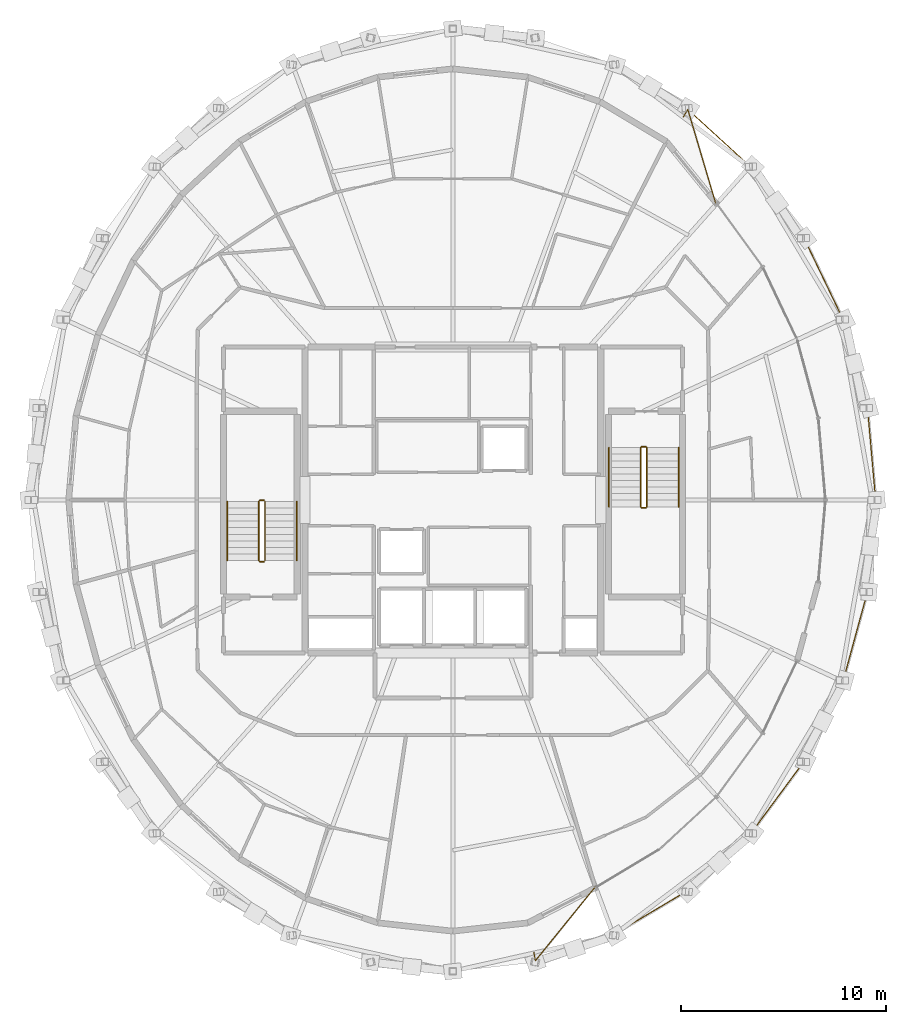
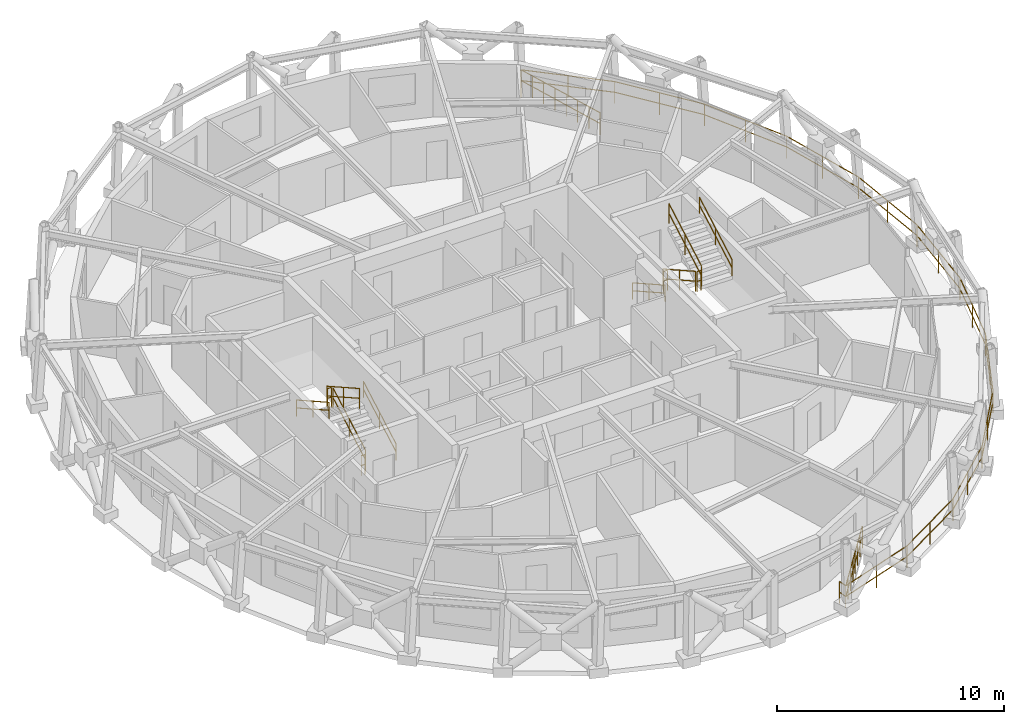
# One storey, part 16 of 16: 15 railings.
"""IFC4 building model written with IfcOpenShell, lengths in metres."""

from ifc_helpers import new_model, si_unit, direction, frame, origin, origin_2d, place, context, subcontext, project, spatial, circle, extrude, material, type_object, element, save


model = new_model("IFC4")

# Units and contexts
model_context = context("Model", 3, precision=1e-05, world=origin(), true_north=direction((0.0, 1.0)))
body_context = subcontext(model_context, "Body", "Model", "MODEL_VIEW")
ifc_project = project(units=[si_unit("LENGTHUNIT", "METRE"), si_unit("AREAUNIT", "SQUARE_METRE"), si_unit("VOLUMEUNIT", "CUBIC_METRE"), si_unit("PLANEANGLEUNIT", "RADIAN"), si_unit("MASSUNIT", "GRAM", prefix="KILO")], contexts=[model_context])

# Site, building, storey
site_placement = place(None, origin())
site = spatial("IfcSite", under=ifc_project, at=site_placement, CompositionType="ELEMENT")
building_placement = place(site_placement, origin())
building = spatial("IfcBuilding", under=site, at=building_placement, Name="Veldorina Hangang Commons", CompositionType="ELEMENT")
storey_placement = place(building_placement, frame((0.0, 0.0, 279.60009765625)))
storey = spatial("IfcBuildingStorey", under=building, at=storey_placement, Name="L73", CompositionType="ELEMENT", Elevation=279.60009765625)

# Railings
ifc_material_1 = material(Name="Glass Laminated Safety Balustrade", Category="glass")
railing_type_1 = type_object("IfcRailingType", Name="RL-BAL-LOGGIA", PredefinedType="BALUSTRADE", material=ifc_material_1)
railing_1_placement = place(storey_placement, frame((35.94482421875, 1.972900390625, 0.0)))
element("IfcRailing", 1, at=railing_1_placement, inside=storey, type_object=railing_type_1, Name="L73 sky-garden loggia end balustrade A", PredefinedType="BALUSTRADE", context=body_context, shape_type="SweptSolid", body=[
    extrude(circle(Radius=0.02392578125, at=origin_2d()), frame((0.0, 0.0, 1.17578125), z_axis=(0.176072200858, -0.984377254961, 0.0), x_axis=(0.984377254961, 0.176072200858, 0.0)), (0.0, 0.0, 1.0), 0.420166015625),
    extrude(circle(Radius=0.02392578125, at=origin_2d()), frame((0.0, 0.0, 0.60009765625), z_axis=(0.176072200858, -0.984377254961, 0.0), x_axis=(0.984377254961, 0.176072200858, 0.0)), (0.0, 0.0, 1.0), 0.420166015625),
    extrude(circle(Radius=0.02392578125, at=origin_2d()), frame((0.073974609375, -0.41357421875, 1.17578125), z_axis=(0.629855307731, 0.776712489485, 0.0), x_axis=(-0.776712489485, 0.629855307731, 0.0)), (0.0, 0.0, 1.0), 4.62646484375),
    extrude(circle(Radius=0.02392578125, at=origin_2d()), frame((0.073974609375, -0.41357421875, 0.60009765625), z_axis=(0.629855307731, 0.776712489485, 0.0), x_axis=(-0.776712489485, 0.629855307731, 0.0)), (0.0, 0.0, 1.0), 4.62646484375),
    extrude(circle(Radius=0.02099609375, at=origin_2d()), origin(), (0.0, 0.0, 1.0), 1.15185546875),
    extrude(circle(Radius=0.02099609375, at=origin_2d()), frame((0.073974609375, -0.41357421875, 0.0)), (0.0, 0.0, 1.0), 1.15185546875),
    extrude(circle(Radius=0.02099609375, at=origin_2d()), frame((0.490234375, 0.099853515625, 0.0)), (0.0, 0.0, 1.0), 1.15185546875),
    extrude(circle(Radius=0.02099609375, at=origin_2d()), frame((0.906494140625, 0.613037109375, 0.0)), (0.0, 0.0, 1.0), 1.15185546875),
    extrude(circle(Radius=0.02099609375, at=origin_2d()), frame((1.32275390625, 1.12646484375, 0.0)), (0.0, 0.0, 1.0), 1.15185546875),
    extrude(circle(Radius=0.02099609375, at=origin_2d()), frame((1.7392578125, 1.639892578125, 0.0)), (0.0, 0.0, 1.0), 1.15185546875),
    extrude(circle(Radius=0.02099609375, at=origin_2d()), frame((2.155517578125, 2.1533203125, 0.0)), (0.0, 0.0, 1.0), 1.15185546875),
    extrude(circle(Radius=0.02099609375, at=origin_2d()), frame((2.57177734375, 2.66650390625, 0.0)), (0.0, 0.0, 1.0), 1.15185546875),
    extrude(circle(Radius=0.02099609375, at=origin_2d()), frame((2.988037109375, 3.179931640625, 0.0)), (0.0, 0.0, 1.0), 1.15185546875),
])
railing_2_placement = place(storey_placement, frame((43.227294921875, 42.66259765625, 0.0)))
element("IfcRailing", 2, at=railing_2_placement, inside=storey, type_object=railing_type_1, Name="L73 sky-garden loggia end balustrade B", PredefinedType="BALUSTRADE", context=body_context, shape_type="SweptSolid", body=[
    extrude(circle(Radius=0.02392578125, at=origin_2d()), frame((0.0, 0.0, 1.17578125), z_axis=(0.515606618215, 0.856825428692, 0.0), x_axis=(-0.856825428692, 0.515606618215, 0.0)), (0.0, 0.0, 1.0), 0.419921875),
    extrude(circle(Radius=0.02392578125, at=origin_2d()), frame((0.0, 0.0, 0.60009765625), z_axis=(0.515606618215, 0.856825428692, 0.0), x_axis=(-0.856825428692, 0.515606618215, 0.0)), (0.0, 0.0, 1.0), 0.419921875),
    extrude(circle(Radius=0.02392578125, at=origin_2d()), frame((0.216552734375, 0.35986328125, 1.17578125), z_axis=(0.284647982683, -0.958632111894, 0.0), x_axis=(0.958632111894, 0.284647982683, 0.0)), (0.0, 0.0, 1.0), 4.797119140625),
    extrude(circle(Radius=0.02392578125, at=origin_2d()), frame((0.216552734375, 0.35986328125, 0.60009765625), z_axis=(0.284647982683, -0.958632111894, 0.0), x_axis=(0.958632111894, 0.284647982683, 0.0)), (0.0, 0.0, 1.0), 4.797119140625),
    extrude(circle(Radius=0.02099609375, at=origin_2d()), origin(), (0.0, 0.0, 1.0), 1.15185546875),
    extrude(circle(Radius=0.02099609375, at=origin_2d()), frame((0.216552734375, 0.35986328125, 0.0)), (0.0, 0.0, 1.0), 1.15185546875),
    extrude(circle(Radius=0.02099609375, at=origin_2d()), frame((0.41162109375, -0.297119140625, 0.0)), (0.0, 0.0, 1.0), 1.15185546875),
    extrude(circle(Radius=0.02099609375, at=origin_2d()), frame((0.606689453125, -0.9541015625, 0.0)), (0.0, 0.0, 1.0), 1.15185546875),
    extrude(circle(Radius=0.02099609375, at=origin_2d()), frame((0.8017578125, -1.611083984375, 0.0)), (0.0, 0.0, 1.0), 1.15185546875),
    extrude(circle(Radius=0.02099609375, at=origin_2d()), frame((0.996826171875, -2.267822265625, 0.0)), (0.0, 0.0, 1.0), 1.15185546875),
    extrude(circle(Radius=0.02099609375, at=origin_2d()), frame((1.19189453125, -2.9248046875, 0.0)), (0.0, 0.0, 1.0), 1.15185546875),
    extrude(circle(Radius=0.02099609375, at=origin_2d()), frame((1.386962890625, -3.581787109375, 0.0)), (0.0, 0.0, 1.0), 1.15185546875),
    extrude(circle(Radius=0.02099609375, at=origin_2d()), frame((1.58203125, -4.23876953125, 0.0)), (0.0, 0.0, 1.0), 1.15185546875),
])
railing_3_placement = place(storey_placement, frame((36.018798828125, 1.559326171875, 0.0)))
element("IfcRailing", 3, at=railing_3_placement, inside=storey, type_object=railing_type_1, Name="L73 sky-garden loggia outer balustrade", PredefinedType="BALUSTRADE", context=body_context, shape_type="SweptSolid", body=[
    extrude(circle(Radius=0.02392578125, at=origin_2d()), frame((0.0, 0.0, 1.17578125), z_axis=(0.947582030219, 0.319512591311, 0.0), x_axis=(-0.319512591311, 0.947582030219, 0.0)), (0.0, 0.0, 1.0), 4.078125),
    extrude(circle(Radius=0.02392578125, at=origin_2d()), frame((0.0, 0.0, 0.60009765625), z_axis=(0.947582030219, 0.319512591311, 0.0), x_axis=(-0.319512591311, 0.947582030219, 0.0)), (0.0, 0.0, 1.0), 4.078125),
    extrude(circle(Radius=0.02392578125, at=origin_2d()), frame((3.8642578125, 1.302978515625, 1.17578125), z_axis=(0.859747172439, 0.51071988358, 0.0), x_axis=(-0.51071988358, 0.859747172439, 0.0)), (0.0, 0.0, 1.0), 4.1416015625),
    extrude(circle(Radius=0.02392578125, at=origin_2d()), frame((3.8642578125, 1.302978515625, 0.60009765625), z_axis=(0.859747172439, 0.51071988358, 0.0), x_axis=(-0.51071988358, 0.859747172439, 0.0)), (0.0, 0.0, 1.0), 4.1416015625),
    extrude(circle(Radius=0.02392578125, at=origin_2d()), frame((7.425048828125, 3.418212890625, 1.17578125), z_axis=(0.738790765452, 0.673934866944, 0.0), x_axis=(-0.673934866944, 0.738790765452, 0.0)), (0.0, 0.0, 1.0), 4.2236328125),
    extrude(circle(Radius=0.02392578125, at=origin_2d()), frame((7.425048828125, 3.418212890625, 0.60009765625), z_axis=(0.738790765452, 0.673934866944, 0.0), x_axis=(-0.673934866944, 0.738790765452, 0.0)), (0.0, 0.0, 1.0), 4.2236328125),
    extrude(circle(Radius=0.02392578125, at=origin_2d()), frame((10.54541015625, 6.2646484375, 1.17578125), z_axis=(0.593992840285, 0.804470326172, 0.0), x_axis=(-0.804470326172, 0.593992840285, 0.0)), (0.0, 0.0, 1.0), 4.310302734375),
    extrude(circle(Radius=0.02392578125, at=origin_2d()), frame((10.54541015625, 6.2646484375, 0.60009765625), z_axis=(0.593992840285, 0.804470326172, 0.0), x_axis=(-0.804470326172, 0.593992840285, 0.0)), (0.0, 0.0, 1.0), 4.310302734375),
    extrude(circle(Radius=0.02392578125, at=origin_2d()), frame((13.105712890625, 9.732177734375, 1.17578125), z_axis=(0.433342225223, 0.901229446833, 0.0), x_axis=(-0.901229446833, 0.433342225223, 0.0)), (0.0, 0.0, 1.0), 4.388916015625),
    extrude(circle(Radius=0.02392578125, at=origin_2d()), frame((13.105712890625, 9.732177734375, 0.60009765625), z_axis=(0.433342225223, 0.901229446833, 0.0), x_axis=(-0.901229446833, 0.433342225223, 0.0)), (0.0, 0.0, 1.0), 4.388916015625),
    extrude(circle(Radius=0.02392578125, at=origin_2d()), frame((15.007568359375, 13.6875, 1.17578125), z_axis=(0.263298532102, 0.964714404885, 0.0), x_axis=(-0.964714404885, 0.263298532102, 0.0)), (0.0, 0.0, 1.0), 4.447998046875),
    extrude(circle(Radius=0.02392578125, at=origin_2d()), frame((15.007568359375, 13.6875, 0.60009765625), z_axis=(0.263298532102, 0.964714404885, 0.0), x_axis=(-0.964714404885, 0.263298532102, 0.0)), (0.0, 0.0, 1.0), 4.447998046875),
    extrude(circle(Radius=0.02392578125, at=origin_2d()), frame((16.1787109375, 17.978515625, 1.17578125), z_axis=(0.088235776144, 0.996099617412, 0.0), x_axis=(-0.996099617412, 0.088235776144, 0.0)), (0.0, 0.0, 1.0), 4.479736328125),
    extrude(circle(Radius=0.02392578125, at=origin_2d()), frame((16.1787109375, 17.978515625, 0.60009765625), z_axis=(0.088235776144, 0.996099617412, 0.0), x_axis=(-0.996099617412, 0.088235776144, 0.0)), (0.0, 0.0, 1.0), 4.479736328125),
    extrude(circle(Radius=0.02392578125, at=origin_2d()), frame((16.573974609375, 22.440673828125, 1.17578125), z_axis=(-0.088235776144, 0.996099617412, 0.0), x_axis=(-0.996099617412, -0.088235776144, 0.0)), (0.0, 0.0, 1.0), 4.479736328125),
    extrude(circle(Radius=0.02392578125, at=origin_2d()), frame((16.573974609375, 22.440673828125, 0.60009765625), z_axis=(-0.088235776144, 0.996099617412, 0.0), x_axis=(-0.996099617412, -0.088235776144, 0.0)), (0.0, 0.0, 1.0), 4.479736328125),
    extrude(circle(Radius=0.02392578125, at=origin_2d()), frame((16.1787109375, 26.90283203125, 1.17578125), z_axis=(-0.263298532102, 0.964714404885, 0.0), x_axis=(-0.964714404885, -0.263298532102, 0.0)), (0.0, 0.0, 1.0), 4.447998046875),
    extrude(circle(Radius=0.02392578125, at=origin_2d()), frame((16.1787109375, 26.90283203125, 0.60009765625), z_axis=(-0.263298532102, 0.964714404885, 0.0), x_axis=(-0.964714404885, -0.263298532102, 0.0)), (0.0, 0.0, 1.0), 4.447998046875),
    extrude(circle(Radius=0.02392578125, at=origin_2d()), frame((15.007568359375, 31.19384765625, 1.17578125), z_axis=(-0.433342225223, 0.901229446833, 0.0), x_axis=(-0.901229446833, -0.433342225223, 0.0)), (0.0, 0.0, 1.0), 4.388916015625),
    extrude(circle(Radius=0.02392578125, at=origin_2d()), frame((15.007568359375, 31.19384765625, 0.60009765625), z_axis=(-0.433342225223, 0.901229446833, 0.0), x_axis=(-0.901229446833, -0.433342225223, 0.0)), (0.0, 0.0, 1.0), 4.388916015625),
    extrude(circle(Radius=0.02392578125, at=origin_2d()), frame((13.105712890625, 35.149169921875, 1.17578125), z_axis=(-0.593992840285, 0.804470326172, 0.0), x_axis=(-0.804470326172, -0.593992840285, 0.0)), (0.0, 0.0, 1.0), 4.310302734375),
    extrude(circle(Radius=0.02392578125, at=origin_2d()), frame((13.105712890625, 35.149169921875, 0.60009765625), z_axis=(-0.593992840285, 0.804470326172, 0.0), x_axis=(-0.804470326172, -0.593992840285, 0.0)), (0.0, 0.0, 1.0), 4.310302734375),
    extrude(circle(Radius=0.02392578125, at=origin_2d()), frame((10.54541015625, 38.61669921875, 1.17578125), z_axis=(-0.738790765452, 0.673934866944, 0.0), x_axis=(-0.673934866944, -0.738790765452, 0.0)), (0.0, 0.0, 1.0), 4.2236328125),
    extrude(circle(Radius=0.02392578125, at=origin_2d()), frame((10.54541015625, 38.61669921875, 0.60009765625), z_axis=(-0.738790765452, 0.673934866944, 0.0), x_axis=(-0.673934866944, -0.738790765452, 0.0)), (0.0, 0.0, 1.0), 4.2236328125),
    extrude(circle(Radius=0.02099609375, at=origin_2d()), origin(), (0.0, 0.0, 1.0), 1.15185546875),
    extrude(circle(Radius=0.02099609375, at=origin_2d()), frame((1.93212890625, 0.6513671875, 0.0)), (0.0, 0.0, 1.0), 1.15185546875),
    extrude(circle(Radius=0.02099609375, at=origin_2d()), frame((3.8642578125, 1.302978515625, 0.0)), (0.0, 0.0, 1.0), 1.15185546875),
    extrude(circle(Radius=0.02099609375, at=origin_2d()), frame((5.64453125, 2.360595703125, 0.0)), (0.0, 0.0, 1.0), 1.15185546875),
    extrude(circle(Radius=0.02099609375, at=origin_2d()), frame((7.425048828125, 3.418212890625, 0.0)), (0.0, 0.0, 1.0), 1.15185546875),
    extrude(circle(Radius=0.02099609375, at=origin_2d()), frame((8.9853515625, 4.84130859375, 0.0)), (0.0, 0.0, 1.0), 1.15185546875),
    extrude(circle(Radius=0.02099609375, at=origin_2d()), frame((10.54541015625, 6.2646484375, 0.0)), (0.0, 0.0, 1.0), 1.15185546875),
    extrude(circle(Radius=0.02099609375, at=origin_2d()), frame((11.82568359375, 7.99853515625, 0.0)), (0.0, 0.0, 1.0), 1.15185546875),
    extrude(circle(Radius=0.02099609375, at=origin_2d()), frame((13.105712890625, 9.732177734375, 0.0)), (0.0, 0.0, 1.0), 1.15185546875),
    extrude(circle(Radius=0.02099609375, at=origin_2d()), frame((14.056640625, 11.7099609375, 0.0)), (0.0, 0.0, 1.0), 1.15185546875),
    extrude(circle(Radius=0.02099609375, at=origin_2d()), frame((15.007568359375, 13.6875, 0.0)), (0.0, 0.0, 1.0), 1.15185546875),
    extrude(circle(Radius=0.02099609375, at=origin_2d()), frame((15.59326171875, 15.8330078125, 0.0)), (0.0, 0.0, 1.0), 1.15185546875),
    extrude(circle(Radius=0.02099609375, at=origin_2d()), frame((16.1787109375, 17.978515625, 0.0)), (0.0, 0.0, 1.0), 1.15185546875),
    extrude(circle(Radius=0.02099609375, at=origin_2d()), frame((16.37646484375, 20.20947265625, 0.0)), (0.0, 0.0, 1.0), 1.15185546875),
    extrude(circle(Radius=0.02099609375, at=origin_2d()), frame((16.573974609375, 22.440673828125, 0.0)), (0.0, 0.0, 1.0), 1.15185546875),
    extrude(circle(Radius=0.02099609375, at=origin_2d()), frame((16.37646484375, 24.671875, 0.0)), (0.0, 0.0, 1.0), 1.15185546875),
    extrude(circle(Radius=0.02099609375, at=origin_2d()), frame((16.1787109375, 26.90283203125, 0.0)), (0.0, 0.0, 1.0), 1.15185546875),
    extrude(circle(Radius=0.02099609375, at=origin_2d()), frame((15.59326171875, 29.04833984375, 0.0)), (0.0, 0.0, 1.0), 1.15185546875),
    extrude(circle(Radius=0.02099609375, at=origin_2d()), frame((15.007568359375, 31.19384765625, 0.0)), (0.0, 0.0, 1.0), 1.15185546875),
    extrude(circle(Radius=0.02099609375, at=origin_2d()), frame((14.056640625, 33.17138671875, 0.0)), (0.0, 0.0, 1.0), 1.15185546875),
    extrude(circle(Radius=0.02099609375, at=origin_2d()), frame((13.105712890625, 35.149169921875, 0.0)), (0.0, 0.0, 1.0), 1.15185546875),
    extrude(circle(Radius=0.02099609375, at=origin_2d()), frame((11.82568359375, 36.8828125, 0.0)), (0.0, 0.0, 1.0), 1.15185546875),
    extrude(circle(Radius=0.02099609375, at=origin_2d()), frame((10.54541015625, 38.61669921875, 0.0)), (0.0, 0.0, 1.0), 1.15185546875),
    extrude(circle(Radius=0.02099609375, at=origin_2d()), frame((8.9853515625, 40.0400390625, 0.0)), (0.0, 0.0, 1.0), 1.15185546875),
    extrude(circle(Radius=0.02099609375, at=origin_2d()), frame((7.425048828125, 41.463134765625, 0.0)), (0.0, 0.0, 1.0), 1.15185546875),
])
ifc_material_2 = material(Name="Steel Painted Balustrade", Category="steel")
railing_type_2 = type_object("IfcRailingType", Name="RL-GRD-STAIR", PredefinedType="GUARDRAIL", material=ifc_material_2)
railing_4_placement = place(storey_placement, frame((22.85009765625, 21.050048828125, 0.179931640625)))
element("IfcRailing", 4, at=railing_4_placement, inside=storey, type_object=railing_type_2, Name="L73 ST-1 stair guard 1", PredefinedType="GUARDRAIL", context=body_context, shape_type="SweptSolid", body=[
    extrude(circle(Radius=0.02392578125, at=origin_2d()), frame((0.0, 0.0, 1.076171875), z_axis=(0.0, 0.871583430097, 0.490247207417), x_axis=(-1.0, 0.0, 0.0)), (0.0, 0.0, 1.0), 3.30419921875),
    extrude(circle(Radius=0.02392578125, at=origin_2d()), frame((0.0, 0.0, 0.550048828125), z_axis=(0.0, 0.871583430097, 0.490247207417), x_axis=(-1.0, 0.0, 0.0)), (0.0, 0.0, 1.0), 3.30419921875),
    extrude(circle(Radius=0.02099609375, at=origin_2d()), origin(), (0.0, 0.0, 1.0), 1.052001953125),
    extrude(circle(Radius=0.02099609375, at=origin_2d()), frame((0.0, 1.43994140625, 0.81005859375)), (0.0, 0.0, 1.0), 1.052001953125),
    extrude(circle(Radius=0.02099609375, at=origin_2d()), frame((0.0, 2.8798828125, 1.619873046875)), (0.0, 0.0, 1.0), 1.052001953125),
])
railing_5_placement = place(storey_placement, frame((22.800048828125, 23.97998046875, 1.7998046875)))
element("IfcRailing", 5, at=railing_5_placement, inside=storey, type_object=railing_type_2, Name="L73 ST-1 stair guard 2", PredefinedType="GUARDRAIL", context=body_context, shape_type="SweptSolid", body=[
    extrude(circle(Radius=0.02392578125, at=origin_2d()), frame((0.0, 0.0, 1.076171875), z_axis=(-1.0, 0.0, 0.0), x_axis=(0.0, -1.0, 0.0)), (0.0, 0.0, 1.0), 0.199951171875),
    extrude(circle(Radius=0.02392578125, at=origin_2d()), frame((0.0, 0.0, 0.550048828125), z_axis=(-1.0, 0.0, 0.0), x_axis=(0.0, -1.0, 0.0)), (0.0, 0.0, 1.0), 0.199951171875),
    extrude(circle(Radius=0.02099609375, at=origin_2d()), origin(), (0.0, 0.0, 1.0), 1.052001953125),
    extrude(circle(Radius=0.02099609375, at=origin_2d()), frame((-0.199951171875, 0.0, 0.0)), (0.0, 0.0, 1.0), 1.052001953125),
])
railing_6_placement = place(storey_placement, frame((22.550048828125, 23.929931640625, 1.97998046875)))
element("IfcRailing", 6, at=railing_6_placement, inside=storey, type_object=railing_type_2, Name="L73 ST-1 stair guard 3", PredefinedType="GUARDRAIL", context=body_context, shape_type="SweptSolid", body=[
    extrude(circle(Radius=0.02392578125, at=origin_2d()), frame((0.0, 0.0, 1.076171875), z_axis=(0.0, -0.871583430097, 0.490247207417), x_axis=(1.0, 0.0, 0.0)), (0.0, 0.0, 1.0), 3.30419921875),
    extrude(circle(Radius=0.02392578125, at=origin_2d()), frame((0.0, 0.0, 0.550048828125), z_axis=(0.0, -0.871583430097, 0.490247207417), x_axis=(1.0, 0.0, 0.0)), (0.0, 0.0, 1.0), 3.30419921875),
    extrude(circle(Radius=0.02099609375, at=origin_2d()), origin(), (0.0, 0.0, 1.0), 1.052001953125),
    extrude(circle(Radius=0.02099609375, at=origin_2d()), frame((0.0, -1.43994140625, 0.81005859375)), (0.0, 0.0, 1.0), 1.052001953125),
    extrude(circle(Radius=0.02099609375, at=origin_2d()), frame((0.0, -2.8798828125, 1.619873046875)), (0.0, 0.0, 1.0), 1.052001953125),
])
railing_7_placement = place(storey_placement, frame((22.800048828125, 21.0, 0.0)))
element("IfcRailing", 7, at=railing_7_placement, inside=storey, type_object=railing_type_2, Name="L73 ST-1 stair guard 4", PredefinedType="GUARDRAIL", context=body_context, shape_type="SweptSolid", body=[
    extrude(circle(Radius=0.02392578125, at=origin_2d()), frame((0.0, 0.0, 1.076171875), z_axis=(-1.0, 0.0, 0.0), x_axis=(0.0, -1.0, 0.0)), (0.0, 0.0, 1.0), 0.199951171875),
    extrude(circle(Radius=0.02392578125, at=origin_2d()), frame((0.0, 0.0, 0.550048828125), z_axis=(-1.0, 0.0, 0.0), x_axis=(0.0, -1.0, 0.0)), (0.0, 0.0, 1.0), 0.199951171875),
    extrude(circle(Radius=0.02099609375, at=origin_2d()), origin(), (0.0, 0.0, 1.0), 1.052001953125),
    extrude(circle(Radius=0.02099609375, at=origin_2d()), frame((-0.199951171875, 0.0, 0.0)), (0.0, 0.0, 1.0), 1.052001953125),
])
railing_8_placement = place(storey_placement, frame((41.14990234375, 26.550048828125, 0.179931640625)))
element("IfcRailing", 8, at=railing_8_placement, inside=storey, type_object=railing_type_2, Name="L73 ST-2 stair guard 1", PredefinedType="GUARDRAIL", context=body_context, shape_type="SweptSolid", body=[
    extrude(circle(Radius=0.02392578125, at=origin_2d()), frame((0.0, 0.0, 1.076171875), z_axis=(0.0, -0.871601186807, 0.490215637405), x_axis=(1.0, 0.0, 0.0)), (0.0, 0.0, 1.0), 3.304443359375),
    extrude(circle(Radius=0.02392578125, at=origin_2d()), frame((0.0, 0.0, 0.550048828125), z_axis=(0.0, -0.871601186807, 0.490215637405), x_axis=(1.0, 0.0, 0.0)), (0.0, 0.0, 1.0), 3.304443359375),
    extrude(circle(Radius=0.02099609375, at=origin_2d()), origin(), (0.0, 0.0, 1.0), 1.052001953125),
    extrude(circle(Radius=0.02099609375, at=origin_2d()), frame((0.0, -1.43994140625, 0.81005859375)), (0.0, 0.0, 1.0), 1.052001953125),
    extrude(circle(Radius=0.02099609375, at=origin_2d()), frame((0.0, -2.880126953125, 1.619873046875)), (0.0, 0.0, 1.0), 1.052001953125),
])
railing_9_placement = place(storey_placement, frame((41.199951171875, 23.6201171875, 1.7998046875)))
element("IfcRailing", 9, at=railing_9_placement, inside=storey, type_object=railing_type_2, Name="L73 ST-2 stair guard 2", PredefinedType="GUARDRAIL", context=body_context, shape_type="SweptSolid", body=[
    extrude(circle(Radius=0.02392578125, at=origin_2d()), frame((0.0, 0.0, 1.076171875), z_axis=(1.0, 0.0, 0.0), x_axis=(0.0, 1.0, 0.0)), (0.0, 0.0, 1.0), 0.199951171875),
    extrude(circle(Radius=0.02392578125, at=origin_2d()), frame((0.0, 0.0, 0.550048828125), z_axis=(1.0, 0.0, 0.0), x_axis=(0.0, 1.0, 0.0)), (0.0, 0.0, 1.0), 0.199951171875),
    extrude(circle(Radius=0.02099609375, at=origin_2d()), origin(), (0.0, 0.0, 1.0), 1.052001953125),
    extrude(circle(Radius=0.02099609375, at=origin_2d()), frame((0.199951171875, 0.0, 0.0)), (0.0, 0.0, 1.0), 1.052001953125),
])
railing_10_placement = place(storey_placement, frame((41.449951171875, 23.669921875, 1.97998046875)))
element("IfcRailing", 10, at=railing_10_placement, inside=storey, type_object=railing_type_2, Name="L73 ST-2 stair guard 3", PredefinedType="GUARDRAIL", context=body_context, shape_type="SweptSolid", body=[
    extrude(circle(Radius=0.02392578125, at=origin_2d()), frame((0.0, 0.0, 1.076171875), z_axis=(0.0, 0.871601186807, 0.490215637405), x_axis=(-1.0, 0.0, 0.0)), (0.0, 0.0, 1.0), 3.304443359375),
    extrude(circle(Radius=0.02392578125, at=origin_2d()), frame((0.0, 0.0, 0.550048828125), z_axis=(0.0, 0.871601186807, 0.490215637405), x_axis=(-1.0, 0.0, 0.0)), (0.0, 0.0, 1.0), 3.304443359375),
    extrude(circle(Radius=0.02099609375, at=origin_2d()), origin(), (0.0, 0.0, 1.0), 1.052001953125),
    extrude(circle(Radius=0.02099609375, at=origin_2d()), frame((0.0, 1.43994140625, 0.81005859375)), (0.0, 0.0, 1.0), 1.052001953125),
    extrude(circle(Radius=0.02099609375, at=origin_2d()), frame((0.0, 2.880126953125, 1.619873046875)), (0.0, 0.0, 1.0), 1.052001953125),
])
railing_11_placement = place(storey_placement, frame((41.199951171875, 26.60009765625, 0.0)))
element("IfcRailing", 11, at=railing_11_placement, inside=storey, type_object=railing_type_2, Name="L73 ST-2 stair guard 4", PredefinedType="GUARDRAIL", context=body_context, shape_type="SweptSolid", body=[
    extrude(circle(Radius=0.02392578125, at=origin_2d()), frame((0.0, 0.0, 1.076171875), z_axis=(1.0, 0.0, 0.0), x_axis=(0.0, 1.0, 0.0)), (0.0, 0.0, 1.0), 0.199951171875),
    extrude(circle(Radius=0.02392578125, at=origin_2d()), frame((0.0, 0.0, 0.550048828125), z_axis=(1.0, 0.0, 0.0), x_axis=(0.0, 1.0, 0.0)), (0.0, 0.0, 1.0), 0.199951171875),
    extrude(circle(Radius=0.02099609375, at=origin_2d()), origin(), (0.0, 0.0, 1.0), 1.052001953125),
    extrude(circle(Radius=0.02099609375, at=origin_2d()), frame((0.199951171875, 0.0, 0.0)), (0.0, 0.0, 1.0), 1.052001953125),
])
ifc_material_3 = material(Name="Stainless Steel Brushed 316", Category="steel")
railing_type_3 = type_object("IfcRailingType", Name="RL-HND-STAIR", PredefinedType="HANDRAIL", material=ifc_material_3)
railing_12_placement = place(storey_placement, frame((24.39990234375, 21.050048828125, 0.179931640625)))
element("IfcRailing", 12, at=railing_12_placement, inside=storey, type_object=railing_type_3, Name="L73 ST-1 stair handrail 1", PredefinedType="HANDRAIL", context=body_context, shape_type="SweptSolid", body=[
    extrude(circle(Radius=0.02392578125, at=origin_2d()), frame((0.0, 0.0, 0.8759765625), z_axis=(0.0, 0.871583430097, 0.490247207417), x_axis=(-1.0, 0.0, 0.0)), (0.0, 0.0, 1.0), 3.30419921875),
    extrude(circle(Radius=0.02392578125, at=origin_2d()), frame((0.0, 0.0, 0.449951171875), z_axis=(0.0, 0.871583430097, 0.490247207417), x_axis=(-1.0, 0.0, 0.0)), (0.0, 0.0, 1.0), 3.30419921875),
    extrude(circle(Radius=0.02099609375, at=origin_2d()), origin(), (0.0, 0.0, 1.0), 0.851806640625),
    extrude(circle(Radius=0.02099609375, at=origin_2d()), frame((0.0, 1.43994140625, 0.81005859375)), (0.0, 0.0, 1.0), 0.851806640625),
    extrude(circle(Radius=0.02099609375, at=origin_2d()), frame((0.0, 2.8798828125, 1.619873046875)), (0.0, 0.0, 1.0), 0.851806640625),
])
railing_13_placement = place(storey_placement, frame((21.0, 23.929931640625, 1.97998046875)))
element("IfcRailing", 13, at=railing_13_placement, inside=storey, type_object=railing_type_3, Name="L73 ST-1 stair handrail 2", PredefinedType="HANDRAIL", context=body_context, shape_type="SweptSolid", body=[
    extrude(circle(Radius=0.02392578125, at=origin_2d()), frame((0.0, 0.0, 0.8759765625), z_axis=(0.0, -0.871583430097, 0.490247207417), x_axis=(1.0, 0.0, 0.0)), (0.0, 0.0, 1.0), 3.30419921875),
    extrude(circle(Radius=0.02392578125, at=origin_2d()), frame((0.0, 0.0, 0.449951171875), z_axis=(0.0, -0.871583430097, 0.490247207417), x_axis=(1.0, 0.0, 0.0)), (0.0, 0.0, 1.0), 3.30419921875),
    extrude(circle(Radius=0.02099609375, at=origin_2d()), origin(), (0.0, 0.0, 1.0), 0.851806640625),
    extrude(circle(Radius=0.02099609375, at=origin_2d()), frame((0.0, -1.43994140625, 0.81005859375)), (0.0, 0.0, 1.0), 0.851806640625),
    extrude(circle(Radius=0.02099609375, at=origin_2d()), frame((0.0, -2.8798828125, 1.619873046875)), (0.0, 0.0, 1.0), 0.851806640625),
])
railing_14_placement = place(storey_placement, frame((39.60009765625, 26.550048828125, 0.179931640625)))
element("IfcRailing", 14, at=railing_14_placement, inside=storey, type_object=railing_type_3, Name="L73 ST-2 stair handrail 1", PredefinedType="HANDRAIL", context=body_context, shape_type="SweptSolid", body=[
    extrude(circle(Radius=0.02392578125, at=origin_2d()), frame((0.0, 0.0, 0.8759765625), z_axis=(0.0, -0.871601186807, 0.490215637405), x_axis=(1.0, 0.0, 0.0)), (0.0, 0.0, 1.0), 3.304443359375),
    extrude(circle(Radius=0.02392578125, at=origin_2d()), frame((0.0, 0.0, 0.449951171875), z_axis=(0.0, -0.871601186807, 0.490215637405), x_axis=(1.0, 0.0, 0.0)), (0.0, 0.0, 1.0), 3.304443359375),
    extrude(circle(Radius=0.02099609375, at=origin_2d()), origin(), (0.0, 0.0, 1.0), 0.851806640625),
    extrude(circle(Radius=0.02099609375, at=origin_2d()), frame((0.0, -1.43994140625, 0.81005859375)), (0.0, 0.0, 1.0), 0.851806640625),
    extrude(circle(Radius=0.02099609375, at=origin_2d()), frame((0.0, -2.880126953125, 1.619873046875)), (0.0, 0.0, 1.0), 0.851806640625),
])
railing_15_placement = place(storey_placement, frame((43.0, 23.669921875, 1.97998046875)))
element("IfcRailing", 15, at=railing_15_placement, inside=storey, type_object=railing_type_3, Name="L73 ST-2 stair handrail 2", PredefinedType="HANDRAIL", context=body_context, shape_type="SweptSolid", body=[
    extrude(circle(Radius=0.02392578125, at=origin_2d()), frame((0.0, 0.0, 0.8759765625), z_axis=(0.0, 0.871601186807, 0.490215637405), x_axis=(-1.0, 0.0, 0.0)), (0.0, 0.0, 1.0), 3.304443359375),
    extrude(circle(Radius=0.02392578125, at=origin_2d()), frame((0.0, 0.0, 0.449951171875), z_axis=(0.0, 0.871601186807, 0.490215637405), x_axis=(-1.0, 0.0, 0.0)), (0.0, 0.0, 1.0), 3.304443359375),
    extrude(circle(Radius=0.02099609375, at=origin_2d()), origin(), (0.0, 0.0, 1.0), 0.851806640625),
    extrude(circle(Radius=0.02099609375, at=origin_2d()), frame((0.0, 1.43994140625, 0.81005859375)), (0.0, 0.0, 1.0), 0.851806640625),
    extrude(circle(Radius=0.02099609375, at=origin_2d()), frame((0.0, 2.880126953125, 1.619873046875)), (0.0, 0.0, 1.0), 0.851806640625),
])

save(model, "model.ifc")
